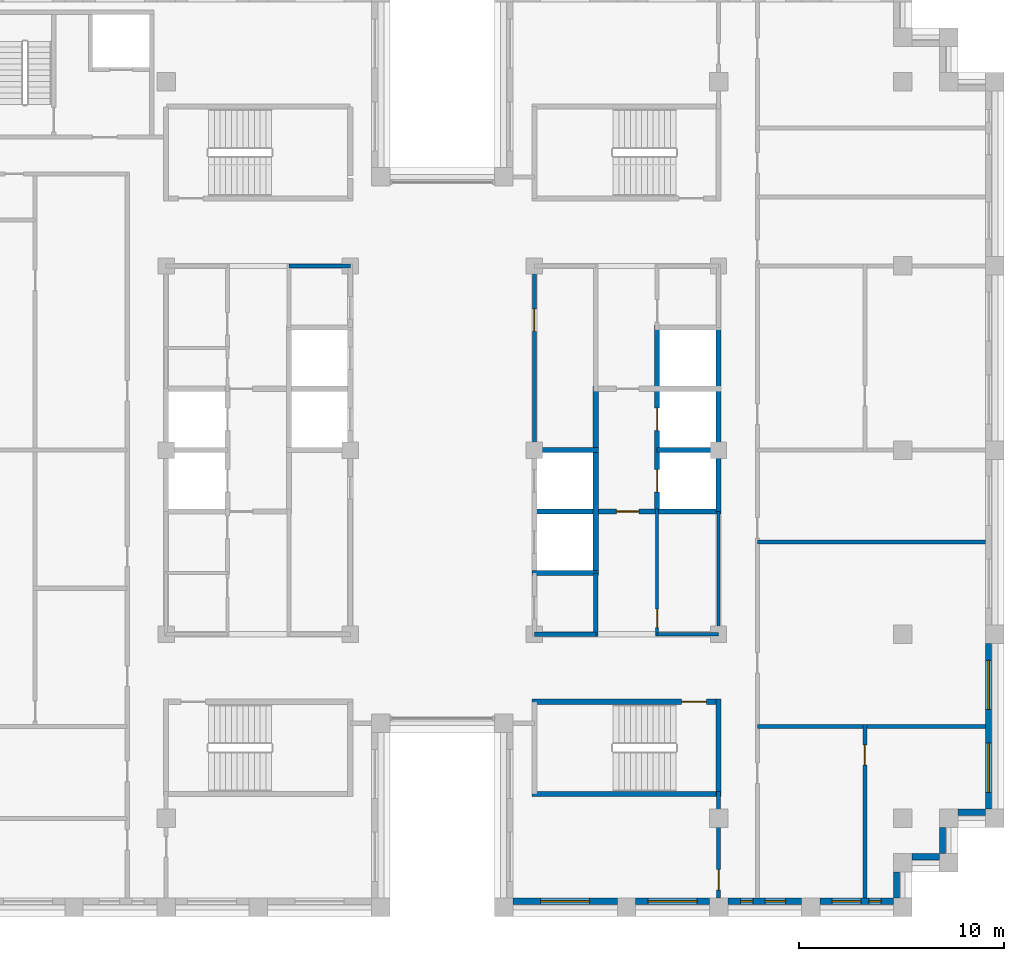
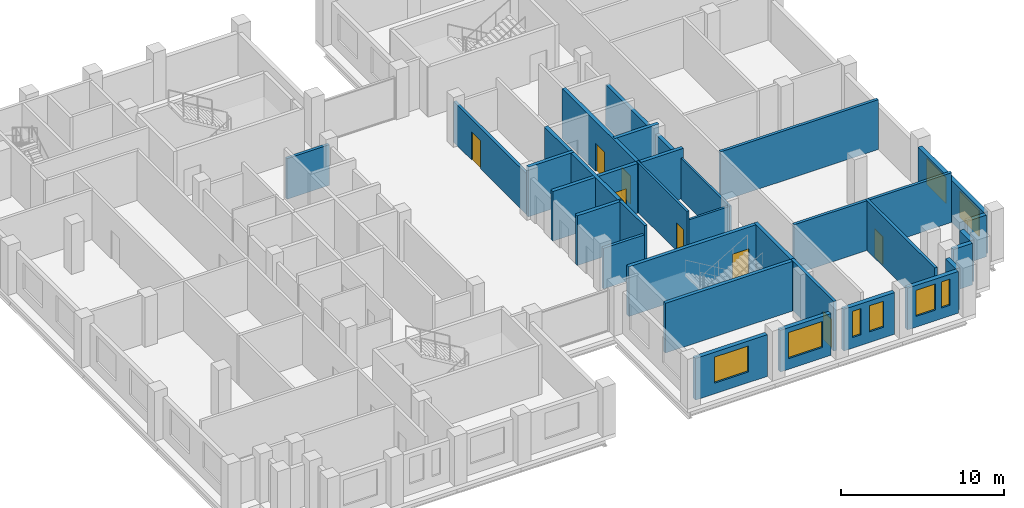
# One storey, part 8 of 13: 30 walls, 8 doors, 8 windows, 16 openings.
"""IFC4 building model written with IfcOpenShell, lengths in metres."""

from ifc_helpers import new_model, si_unit, direction, frame, frame_2d, origin, place, context, subcontext, project, spatial, rectangle, extrude, material, layer, layer_set, type_object, element, fill, save


model = new_model("IFC4")

# Units and contexts
model_context = context("Model", 3, precision=1e-05, world=origin(), true_north=direction((0.0, 1.0)))
body_context = subcontext(model_context, "Body", "Model", "MODEL_VIEW")
ifc_project = project(units=[si_unit("LENGTHUNIT", "METRE"), si_unit("AREAUNIT", "SQUARE_METRE"), si_unit("VOLUMEUNIT", "CUBIC_METRE"), si_unit("PLANEANGLEUNIT", "RADIAN"), si_unit("MASSUNIT", "GRAM", prefix="KILO")], contexts=[model_context])

# Site, building, storey
site_placement = place(None, origin())
site = spatial("IfcSite", under=ifc_project, at=site_placement, CompositionType="ELEMENT")
building_placement = place(site_placement, origin())
building = spatial("IfcBuilding", under=site, at=building_placement, Name="Corbelhall Arena Tower", CompositionType="ELEMENT")
storey_placement = place(building_placement, frame((0.0, 0.0, 254.0)))
storey = spatial("IfcBuildingStorey", under=building, at=storey_placement, Name="L54", CompositionType="ELEMENT", Elevation=254.0)

# Wall, opening, window
ifc_material_1 = material(Name="Precast concrete C40/50 with granite facing", Category="masonry")
ifc_layer_1 = layer(ifc_material_1, 0.300048828125)
ifc_layer_set_1 = layer_set([ifc_layer_1], Name="EV-IW1 Infill panel 300")
wall_type_1 = type_object("IfcWallType", Name="EV-IW1 Infill panel 300", PredefinedType="SOLIDWALL", material=ifc_layer_set_1)
wall_1_placement = place(storey_placement, frame((3.449951171875, -22.050048828125, 0.0), z_axis=(0.0, 0.0, 1.0), x_axis=(1.0, 0.0, 0.0)))
wall_1 = element("IfcWall", 1, at=wall_1_placement, inside=storey, type_object=wall_type_1, Name="Infill panel IW1", PredefinedType="SOLIDWALL", context=body_context, shape_type="SweptSolid", body=[
    extrude(rectangle(XDim=5.10009765625, YDim=0.300048828125, at=frame_2d((2.550048828125, 0.0))), origin(), (0.0, 0.0, 1.0), 3.1201171875),
])
opening_1_placement = place(wall_1_placement, frame((1.35009765625, 0.0, 0.800048828125)))
opening_1 = element("IfcOpeningElement", 2, at=opening_1_placement, cuts=wall_1, Name="Opening WN1", PredefinedType="OPENING", context=body_context, shape_type="SweptSolid", body=[
    extrude(rectangle(XDim=2.39990234375, YDim=1.949951171875, at=frame_2d((1.199951171875, 0.97509765625))), frame((0.0, 0.14990234375, 0.0), z_axis=(0.0, -1.0, 0.0), x_axis=(1.0, 0.0, 0.0)), (0.0, 0.0, 1.0), 0.300048828125),
])
ifc_material_2 = material(Name="Aluminium black anodised", Category="aluminium")
window_type_1 = type_object("IfcWindowType", Name="EV-WN1 Office window", PartitioningType="SINGLE_PANEL", PredefinedType="WINDOW", material=ifc_material_2)
window_1_placement = place(opening_1_placement, origin())
window_1 = element("IfcWindow", 3, at=window_1_placement, inside=storey, type_object=window_type_1, Name="Window WN1", OverallHeight=1.949951171875, OverallWidth=2.39990234375, PartitioningType="SINGLE_PANEL", PredefinedType="WINDOW", context=body_context, shape_type="SweptSolid", body=[
    extrude(rectangle(XDim=2.39990234375, YDim=1.949951171875, at=frame_2d((1.199951171875, 0.97509765625))), frame((0.0, 0.030029296875, 0.0), z_axis=(0.0, -1.0, 0.0), x_axis=(1.0, 0.0, 0.0)), (0.0, 0.0, 1.0), 0.06005859375),
])
fill(opening_1, window_1)

wall_2_placement = place(storey_placement, frame((9.449951171875, -22.050048828125, 0.0), z_axis=(0.0, 0.0, 1.0), x_axis=(1.0, 0.0, 0.0)))
wall_2 = element("IfcWall", 4, at=wall_2_placement, inside=storey, type_object=wall_type_1, Name="Infill panel IW1", PredefinedType="SOLIDWALL", context=body_context, shape_type="SweptSolid", body=[
    extrude(rectangle(XDim=3.60009765625, YDim=0.300048828125, at=frame_2d((1.800048828125, 0.0))), origin(), (0.0, 0.0, 1.0), 3.1201171875),
])
opening_2_placement = place(wall_2_placement, frame((0.60009765625, 0.0, 0.800048828125)))
opening_2 = element("IfcOpeningElement", 5, at=opening_2_placement, cuts=wall_2, Name="Opening WN1", PredefinedType="OPENING", context=body_context, shape_type="SweptSolid", body=[
    extrude(rectangle(XDim=2.39990234375, YDim=1.949951171875, at=frame_2d((1.199951171875, 0.97509765625))), frame((0.0, 0.14990234375, 0.0), z_axis=(0.0, -1.0, 0.0), x_axis=(1.0, 0.0, 0.0)), (0.0, 0.0, 1.0), 0.300048828125),
])
window_2_placement = place(opening_2_placement, origin())
window_2 = element("IfcWindow", 6, at=window_2_placement, inside=storey, type_object=window_type_1, Name="Window WN1", OverallHeight=1.949951171875, OverallWidth=2.39990234375, PartitioningType="SINGLE_PANEL", PredefinedType="WINDOW", context=body_context, shape_type="SweptSolid", body=[
    extrude(rectangle(XDim=2.39990234375, YDim=1.949951171875, at=frame_2d((1.199951171875, 0.97509765625))), frame((0.0, 0.030029296875, 0.0), z_axis=(0.0, -1.0, 0.0), x_axis=(1.0, 0.0, 0.0)), (0.0, 0.0, 1.0), 0.06005859375),
])
fill(opening_2, window_2)

# Wall, openings, windows
wall_3_placement = place(storey_placement, frame((13.949951171875, -22.050048828125, 0.0), z_axis=(0.0, 0.0, 1.0), x_axis=(1.0, 0.0, 0.0)))
wall_3 = element("IfcWall", 7, at=wall_3_placement, inside=storey, type_object=wall_type_1, Name="Infill panel IW1", PredefinedType="SOLIDWALL", context=body_context, shape_type="SweptSolid", body=[
    extrude(rectangle(XDim=3.60009765625, YDim=0.300048828125, at=frame_2d((1.800048828125, 0.0))), origin(), (0.0, 0.0, 1.0), 3.1201171875),
])
opening_3_placement = place(wall_3_placement, frame((0.625, 0.0, 0.800048828125)))
opening_3 = element("IfcOpeningElement", 8, at=opening_3_placement, cuts=wall_3, Name="Opening WN5", PredefinedType="OPENING", context=body_context, shape_type="SweptSolid", body=[
    extrude(rectangle(XDim=0.60009765625, YDim=1.949951171875, at=frame_2d((0.300048828125, 0.97509765625))), frame((0.0, 0.14990234375, 0.0), z_axis=(0.0, -1.0, 0.0), x_axis=(1.0, 0.0, 0.0)), (0.0, 0.0, 1.0), 0.300048828125),
])
opening_4_placement = place(wall_3_placement, frame((1.824951171875, 0.0, 0.800048828125)))
opening_4 = element("IfcOpeningElement", 9, at=opening_4_placement, cuts=wall_3, Name="Opening WN6", PredefinedType="OPENING", context=body_context, shape_type="SweptSolid", body=[
    extrude(rectangle(XDim=1.0, YDim=1.949951171875, at=frame_2d((0.5, 0.97509765625))), frame((0.0, 0.14990234375, 0.0), z_axis=(0.0, -1.0, 0.0), x_axis=(1.0, 0.0, 0.0)), (0.0, 0.0, 1.0), 0.300048828125),
])
window_type_2 = type_object("IfcWindowType", Name="EV-WN5 Office window 600", PartitioningType="SINGLE_PANEL", PredefinedType="WINDOW", material=ifc_material_2)
window_3_placement = place(opening_3_placement, origin())
window_3 = element("IfcWindow", 10, at=window_3_placement, inside=storey, type_object=window_type_2, Name="Window WN5", OverallHeight=1.949951171875, OverallWidth=0.60009765625, PartitioningType="SINGLE_PANEL", PredefinedType="WINDOW", context=body_context, shape_type="SweptSolid", body=[
    extrude(rectangle(XDim=0.60009765625, YDim=1.949951171875, at=frame_2d((0.300048828125, 0.97509765625))), frame((0.0, 0.030029296875, 0.0), z_axis=(0.0, -1.0, 0.0), x_axis=(1.0, 0.0, 0.0)), (0.0, 0.0, 1.0), 0.06005859375),
])
fill(opening_3, window_3)
window_type_3 = type_object("IfcWindowType", Name="EV-WN6 Office window 1000", PartitioningType="SINGLE_PANEL", PredefinedType="WINDOW", material=ifc_material_2)
window_4_placement = place(opening_4_placement, origin())
window_4 = element("IfcWindow", 11, at=window_4_placement, inside=storey, type_object=window_type_3, Name="Window WN6", OverallHeight=1.949951171875, OverallWidth=1.0, PartitioningType="SINGLE_PANEL", PredefinedType="WINDOW", context=body_context, shape_type="SweptSolid", body=[
    extrude(rectangle(XDim=1.0, YDim=1.949951171875, at=frame_2d((0.5, 0.97509765625))), frame((0.0, 0.030029296875, 0.0), z_axis=(0.0, -1.0, 0.0), x_axis=(1.0, 0.0, 0.0)), (0.0, 0.0, 1.0), 0.06005859375),
])
fill(opening_4, window_4)

wall_4_placement = place(storey_placement, frame((18.449951171875, -22.050048828125, 0.0), z_axis=(0.0, 0.0, 1.0), x_axis=(1.0, 0.0, 0.0)))
wall_4 = element("IfcWall", 12, at=wall_4_placement, inside=storey, type_object=wall_type_1, Name="Infill panel IW1", PredefinedType="SOLIDWALL", context=body_context, shape_type="SweptSolid", body=[
    extrude(rectangle(XDim=3.60009765625, YDim=0.300048828125, at=frame_2d((1.800048828125, 0.0))), origin(), (0.0, 0.0, 1.0), 3.1201171875),
])
opening_5_placement = place(wall_4_placement, frame((0.60009765625, 0.0, 0.800048828125)))
opening_5 = element("IfcOpeningElement", 13, at=opening_5_placement, cuts=wall_4, Name="Opening WN7", PredefinedType="OPENING", context=body_context, shape_type="SweptSolid", body=[
    extrude(rectangle(XDim=1.39990234375, YDim=1.949951171875, at=frame_2d((0.699951171875, 0.97509765625))), frame((0.0, 0.14990234375, 0.0), z_axis=(0.0, -1.0, 0.0), x_axis=(1.0, 0.0, 0.0)), (0.0, 0.0, 1.0), 0.300048828125),
])
opening_6_placement = place(wall_4_placement, frame((2.39990234375, 0.0, 0.800048828125)))
opening_6 = element("IfcOpeningElement", 14, at=opening_6_placement, cuts=wall_4, Name="Opening WN5", PredefinedType="OPENING", context=body_context, shape_type="SweptSolid", body=[
    extrude(rectangle(XDim=0.60009765625, YDim=1.949951171875, at=frame_2d((0.300048828125, 0.97509765625))), frame((0.0, 0.14990234375, 0.0), z_axis=(0.0, -1.0, 0.0), x_axis=(1.0, 0.0, 0.0)), (0.0, 0.0, 1.0), 0.300048828125),
])
window_5_placement = place(opening_6_placement, origin())
window_5 = element("IfcWindow", 15, at=window_5_placement, inside=storey, type_object=window_type_2, Name="Window WN5", OverallHeight=1.949951171875, OverallWidth=0.60009765625, PartitioningType="SINGLE_PANEL", PredefinedType="WINDOW", context=body_context, shape_type="SweptSolid", body=[
    extrude(rectangle(XDim=0.60009765625, YDim=1.949951171875, at=frame_2d((0.300048828125, 0.97509765625))), frame((0.0, 0.030029296875, 0.0), z_axis=(0.0, -1.0, 0.0), x_axis=(1.0, 0.0, 0.0)), (0.0, 0.0, 1.0), 0.06005859375),
])
fill(opening_6, window_5)
window_type_4 = type_object("IfcWindowType", Name="EV-WN7 Office window 1400", PartitioningType="SINGLE_PANEL", PredefinedType="WINDOW", material=ifc_material_2)
window_6_placement = place(opening_5_placement, origin())
window_6 = element("IfcWindow", 16, at=window_6_placement, inside=storey, type_object=window_type_4, Name="Window WN7", OverallHeight=1.949951171875, OverallWidth=1.39990234375, PartitioningType="SINGLE_PANEL", PredefinedType="WINDOW", context=body_context, shape_type="SweptSolid", body=[
    extrude(rectangle(XDim=1.39990234375, YDim=1.949951171875, at=frame_2d((0.699951171875, 0.97509765625))), frame((0.0, 0.030029296875, 0.0), z_axis=(0.0, -1.0, 0.0), x_axis=(1.0, 0.0, 0.0)), (0.0, 0.0, 1.0), 0.06005859375),
])
fill(opening_5, window_6)

# Walls
wall_5_placement = place(storey_placement, frame((22.199951171875, -21.89990234375, 0.0), z_axis=(0.0, 0.0, 1.0), x_axis=(0.0, 1.0, 0.0)))
element("IfcWall", 17, at=wall_5_placement, inside=storey, type_object=wall_type_1, Name="Infill panel IW1", PredefinedType="SOLIDWALL", context=body_context, shape_type="SweptSolid", body=[
    extrude(rectangle(XDim=1.27490234375, YDim=0.300048828125, at=frame_2d((0.637451171875, 0.0))), origin(), (0.0, 0.0, 1.0), 3.1201171875),
])
wall_6_placement = place(storey_placement, frame((22.949951171875, -19.875, 0.0), z_axis=(0.0, 0.0, 1.0), x_axis=(1.0, 0.0, 0.0)))
element("IfcWall", 18, at=wall_6_placement, inside=storey, type_object=wall_type_1, Name="Infill panel IW1", PredefinedType="SOLIDWALL", context=body_context, shape_type="SweptSolid", body=[
    extrude(rectangle(XDim=1.35009765625, YDim=0.300048828125, at=frame_2d((0.675048828125, 0.0))), origin(), (0.0, 0.0, 1.0), 3.1201171875),
])
wall_7_placement = place(storey_placement, frame((24.449951171875, -19.72509765625, 0.0), z_axis=(0.0, 0.0, 1.0), x_axis=(0.0, 1.0, 0.0)))
element("IfcWall", 19, at=wall_7_placement, inside=storey, type_object=wall_type_1, Name="Infill panel IW1", PredefinedType="SOLIDWALL", context=body_context, shape_type="SweptSolid", body=[
    extrude(rectangle(XDim=1.275146484375, YDim=0.300048828125, at=frame_2d((0.6376953125, 0.0))), origin(), (0.0, 0.0, 1.0), 3.1201171875),
])
wall_8_placement = place(storey_placement, frame((25.199951171875, -17.699951171875, 0.0), z_axis=(0.0, 0.0, 1.0), x_axis=(1.0, 0.0, 0.0)))
element("IfcWall", 20, at=wall_8_placement, inside=storey, type_object=wall_type_1, Name="Infill panel IW1", PredefinedType="SOLIDWALL", context=body_context, shape_type="SweptSolid", body=[
    extrude(rectangle(XDim=1.35009765625, YDim=0.300048828125, at=frame_2d((0.675048828125, 0.0))), origin(), (0.0, 0.0, 1.0), 3.1201171875),
])

# Wall, openings, windows
wall_9_placement = place(storey_placement, frame((26.699951171875, -17.550048828125, 0.0), z_axis=(0.0, 0.0, 1.0), x_axis=(0.0, 1.0, 0.0)))
wall_9 = element("IfcWall", 21, at=wall_9_placement, inside=storey, type_object=wall_type_1, Name="Infill panel IW1", PredefinedType="SOLIDWALL", context=body_context, shape_type="SweptSolid", body=[
    extrude(rectangle(XDim=8.10009765625, YDim=0.300048828125, at=frame_2d((4.050048828125, 0.0))), origin(), (0.0, 0.0, 1.0), 3.1201171875),
])
opening_7_placement = place(wall_9_placement, frame((0.824951171875, 0.0, 0.800048828125)))
opening_7 = element("IfcOpeningElement", 22, at=opening_7_placement, cuts=wall_9, Name="Opening WN1", PredefinedType="OPENING", context=body_context, shape_type="SweptSolid", body=[
    extrude(rectangle(XDim=2.39990234375, YDim=1.949951171875, at=frame_2d((1.199951171875, 0.97509765625))), frame((0.0, 0.14990234375, 0.0), z_axis=(0.0, -1.0, 0.0), x_axis=(1.0, 0.0, 0.0)), (0.0, 0.0, 1.0), 0.300048828125),
])
opening_8_placement = place(wall_9_placement, frame((4.875, 0.0, 0.800048828125)))
opening_8 = element("IfcOpeningElement", 23, at=opening_8_placement, cuts=wall_9, Name="Opening WN1", PredefinedType="OPENING", context=body_context, shape_type="SweptSolid", body=[
    extrude(rectangle(XDim=2.39990234375, YDim=1.949951171875, at=frame_2d((1.199951171875, 0.97509765625))), frame((0.0, 0.14990234375, 0.0), z_axis=(0.0, -1.0, 0.0), x_axis=(1.0, 0.0, 0.0)), (0.0, 0.0, 1.0), 0.300048828125),
])
window_7_placement = place(opening_7_placement, origin())
window_7 = element("IfcWindow", 24, at=window_7_placement, inside=storey, type_object=window_type_1, Name="Window WN1", OverallHeight=1.949951171875, OverallWidth=2.39990234375, PartitioningType="SINGLE_PANEL", PredefinedType="WINDOW", context=body_context, shape_type="SweptSolid", body=[
    extrude(rectangle(XDim=2.39990234375, YDim=1.949951171875, at=frame_2d((1.199951171875, 0.97509765625))), frame((0.0, 0.030029296875, 0.0), z_axis=(0.0, -1.0, 0.0), x_axis=(1.0, 0.0, 0.0)), (0.0, 0.0, 1.0), 0.06005859375),
])
fill(opening_7, window_7)
window_8_placement = place(opening_8_placement, origin())
window_8 = element("IfcWindow", 25, at=window_8_placement, inside=storey, type_object=window_type_1, Name="Window WN1", OverallHeight=1.949951171875, OverallWidth=2.39990234375, PartitioningType="SINGLE_PANEL", PredefinedType="WINDOW", context=body_context, shape_type="SweptSolid", body=[
    extrude(rectangle(XDim=2.39990234375, YDim=1.949951171875, at=frame_2d((1.199951171875, 0.97509765625))), frame((0.0, 0.030029296875, 0.0), z_axis=(0.0, -1.0, 0.0), x_axis=(1.0, 0.0, 0.0)), (0.0, 0.0, 1.0), 0.06005859375),
])
fill(opening_8, window_8)

# Wall, opening, door
ifc_material_3 = material(Name="Gypsum board on steel stud, acoustic", Category="steel")
ifc_layer_2 = layer(ifc_material_3, 0.199951171875)
ifc_layer_set_2 = layer_set([ifc_layer_2], Name="IN-W-DM200")
wall_type_2 = type_object("IfcWallType", Name="IN-W-DM200", PredefinedType="PARTITIONING", material=ifc_layer_set_2)
wall_10_placement = place(storey_placement, frame((13.5, -21.89990234375, 0.0), z_axis=(0.0, 0.0, 1.0), x_axis=(0.0, 1.0, 0.0)))
wall_10 = element("IfcWall", 26, at=wall_10_placement, inside=storey, type_object=wall_type_2, Name="Partition 014", PredefinedType="PARTITIONING", context=body_context, shape_type="SweptSolid", body=[
    extrude(rectangle(XDim=5.224853515625, YDim=0.199951171875, at=frame_2d((2.6123046875, 0.0))), origin(), (0.0, 0.0, 1.0), 3.719970703125),
])
opening_9_placement = place(wall_10_placement, frame((0.39990234375, 0.0, 0.0)))
opening_9 = element("IfcOpeningElement", 27, at=opening_9_placement, cuts=wall_10, Name="Opening 17021", PredefinedType="OPENING", context=body_context, shape_type="SweptSolid", body=[
    extrude(rectangle(XDim=1.0, YDim=2.10009765625, at=frame_2d((0.5, 1.050048828125))), frame((0.0, 0.10009765625, 0.0), z_axis=(0.0, -1.0, 0.0), x_axis=(1.0, 0.0, 0.0)), (0.0, 0.0, 1.0), 0.199951171875),
])
ifc_material_4 = material(Name="Steel door set", Category="steel")
door_type_1 = type_object("IfcDoorType", Name="IN-D-SW100", OperationType="NOTDEFINED", PredefinedType="DOOR", material=ifc_material_4)
door_1_placement = place(opening_9_placement, origin())
door_1 = element("IfcDoor", 28, at=door_1_placement, inside=storey, type_object=door_type_1, Name="Door 021", OperationType="SINGLE_SWING_RIGHT", OverallHeight=2.10009765625, OverallWidth=1.0, PredefinedType="DOOR", context=body_context, shape_type="SweptSolid", body=[
    extrude(rectangle(XDim=1.0, YDim=2.10009765625, at=frame_2d((0.5, 1.050048828125))), frame((0.0, 0.02490234375, 0.0), z_axis=(0.0, -1.0, 0.0), x_axis=(1.0, 0.0, 0.0)), (0.0, 0.0, 1.0), 0.050048828125),
])
fill(opening_9, door_1)

# Walls
for number, where, z_axis, x_axis, name in (
    (29, (15.39990234375, -13.5, 0.0), (0.0, 0.0, 1.0), (1.0, 0.0, 0.0), "Partition 016"),
    (30, (15.39990234375, -4.5, 0.0), (0.0, 0.0, 1.0), (1.0, 0.0, 0.0), "Partition 018"),
):
    element("IfcWall", number, at=place(storey_placement, frame(where, z_axis=z_axis, x_axis=x_axis)), inside=storey, type_object=wall_type_2, Name=name, PredefinedType="PARTITIONING", context=body_context, shape_type="SweptSolid", body=[
        extrude(rectangle(XDim=11.150146484375, YDim=0.199951171875, at=frame_2d((5.5751953125, 0.0))), origin(), (0.0, 0.0, 1.0), 3.719970703125),
    ])

# Wall, opening, door
wall_11_placement = place(storey_placement, frame((20.64990234375, -13.39990234375, 0.0), z_axis=(0.0, 0.0, 1.0), x_axis=(0.0, -1.0, 0.0)))
wall_11 = element("IfcWall", 31, at=wall_11_placement, inside=storey, type_object=wall_type_2, Name="Partition 022", PredefinedType="PARTITIONING", context=body_context, shape_type="SweptSolid", body=[
    extrude(rectangle(XDim=8.5, YDim=0.199951171875, at=frame_2d((4.25, 0.0))), origin(), (0.0, 0.0, 1.0), 3.719970703125),
])
opening_10_placement = place(wall_11_placement, frame((1.0, 0.0, 0.0)))
opening_10 = element("IfcOpeningElement", 32, at=opening_10_placement, cuts=wall_11, Name="Opening 17035", PredefinedType="OPENING", context=body_context, shape_type="SweptSolid", body=[
    extrude(rectangle(XDim=1.0, YDim=2.10009765625, at=frame_2d((0.5, 1.050048828125))), frame((0.0, 0.10009765625, 0.0), z_axis=(0.0, -1.0, 0.0), x_axis=(1.0, 0.0, 0.0)), (0.0, 0.0, 1.0), 0.199951171875),
])
door_2_placement = place(opening_10_placement, origin())
door_2 = element("IfcDoor", 33, at=door_2_placement, inside=storey, type_object=door_type_1, Name="Door 035", OperationType="SINGLE_SWING_RIGHT", OverallHeight=2.10009765625, OverallWidth=1.0, PredefinedType="DOOR", context=body_context, shape_type="SweptSolid", body=[
    extrude(rectangle(XDim=1.0, YDim=2.10009765625, at=frame_2d((0.5, 1.050048828125))), frame((0.0, 0.02490234375, 0.0), z_axis=(0.0, -1.0, 0.0), x_axis=(1.0, 0.0, 0.0)), (0.0, 0.0, 1.0), 0.050048828125),
])
fill(opening_10, door_2)

# Walls
ifc_material_5 = material(Name="Concrete block wall", Category="concrete")
ifc_layer_3 = layer(ifc_material_5, 0.199951171875)
ifc_layer_set_3 = layer_set([ifc_layer_3], Name="IN-W-RS200")
wall_type_3 = type_object("IfcWallType", Name="IN-W-RS200", PredefinedType="SOLIDWALL", material=ifc_layer_set_3)
wall_12_placement = place(storey_placement, frame((7.5, -6.0, 0.0), z_axis=(0.0, 0.0, 1.0), x_axis=(0.0, -1.0, 0.0)))
element("IfcWall", 34, at=wall_12_placement, inside=storey, type_object=wall_type_3, Name="Partition 040", PredefinedType="SOLIDWALL", context=body_context, shape_type="SweptSolid", body=[
    extrude(rectangle(XDim=3.10009765625, YDim=0.199951171875, at=frame_2d((1.550048828125, 0.0))), origin(), (0.0, 0.0, 1.0), 3.719970703125),
])
ifc_layer_4 = layer(ifc_material_5, 0.199951171875)
ifc_layer_set_4 = layer_set([ifc_layer_4], Name="IN-W-RS200 under beam 678 mm")
wall_type_4 = type_object("IfcWallType", Name="IN-W-RS200 under beam 678 mm", PredefinedType="SOLIDWALL", material=ifc_layer_set_4)
wall_13_placement = place(storey_placement, frame((-7.5, 9.0, 0.0), z_axis=(0.0, 0.0, 1.0), x_axis=(1.0, 0.0, 0.0)))
element("IfcWall", 35, at=wall_13_placement, inside=storey, type_object=wall_type_4, Name="Partition 032", PredefinedType="SOLIDWALL", context=body_context, shape_type="SweptSolid", body=[
    extrude(rectangle(XDim=3.0, YDim=0.199951171875, at=frame_2d((1.5, 0.0))), origin(), (0.0, 0.0, 1.0), 3.041748046875),
])

# Wall, opening, door
wall_14_placement = place(storey_placement, frame((4.5, 0.0, 0.0), z_axis=(0.0, 0.0, 1.0), x_axis=(0.0, 1.0, 0.0)))
wall_14 = element("IfcWall", 36, at=wall_14_placement, inside=storey, type_object=wall_type_4, Name="Partition 037", PredefinedType="SOLIDWALL", context=body_context, shape_type="SweptSolid", body=[
    extrude(rectangle(XDim=9.10009765625, YDim=0.199951171875, at=frame_2d((4.550048828125, 0.0))), origin(), (0.0, 0.0, 1.0), 3.041748046875),
])
opening_11_placement = place(wall_14_placement, frame((5.800048828125, 0.0, 0.0)))
opening_11 = element("IfcOpeningElement", 37, at=opening_11_placement, cuts=wall_14, Name="Opening 17010", PredefinedType="OPENING", context=body_context, shape_type="SweptSolid", body=[
    extrude(rectangle(XDim=1.10009765625, YDim=2.10009765625, at=frame_2d((0.550048828125, 1.050048828125))), frame((0.0, 0.10009765625, 0.0), z_axis=(0.0, -1.0, 0.0), x_axis=(1.0, 0.0, 0.0)), (0.0, 0.0, 1.0), 0.199951171875),
])
door_type_2 = type_object("IfcDoorType", Name="IN-D-FD110", OperationType="NOTDEFINED", PredefinedType="DOOR", material=ifc_material_4)
door_3_placement = place(opening_11_placement, origin())
door_3 = element("IfcDoor", 38, at=door_3_placement, inside=storey, type_object=door_type_2, Name="Door 010", OperationType="SINGLE_SWING_LEFT", OverallHeight=2.10009765625, OverallWidth=1.10009765625, PredefinedType="DOOR", context=body_context, shape_type="SweptSolid", body=[
    extrude(rectangle(XDim=1.10009765625, YDim=2.10009765625, at=frame_2d((0.550048828125, 1.050048828125))), frame((0.0, 0.02490234375, 0.0), z_axis=(0.0, -1.0, 0.0), x_axis=(1.0, 0.0, 0.0)), (0.0, 0.0, 1.0), 0.050048828125),
])
fill(opening_11, door_3)

# Walls
wall_15_placement = place(storey_placement, frame((7.5, -9.0, 0.0), z_axis=(0.0, 0.0, 1.0), x_axis=(-1.0, 0.0, 0.0)))
element("IfcWall", 39, at=wall_15_placement, inside=storey, type_object=wall_type_4, Name="Partition 039", PredefinedType="SOLIDWALL", context=body_context, shape_type="SweptSolid", body=[
    extrude(rectangle(XDim=3.0, YDim=0.199951171875, at=frame_2d((1.5, 0.0))), origin(), (0.0, 0.0, 1.0), 3.041748046875),
])
ifc_material_6 = material(Name="Concrete C40/50", Category="concrete")
ifc_layer_5 = layer(ifc_material_6, 0.25)
ifc_layer_set_5 = layer_set([ifc_layer_5], Name="IN-W-SH250")
wall_type_5 = type_object("IfcWallType", Name="IN-W-SH250", PredefinedType="SOLIDWALL", material=ifc_layer_set_5)
wall_16_placement = place(storey_placement, frame((4.375, -6.0, 0.0), z_axis=(0.0, 0.0, 1.0), x_axis=(1.0, 0.0, 0.0)))
element("IfcWall", 40, at=wall_16_placement, inside=storey, type_object=wall_type_5, Name="Shaft wall 054", PredefinedType="SOLIDWALL", context=body_context, shape_type="SweptSolid", body=[
    extrude(rectangle(XDim=3.25, YDim=0.25, at=frame_2d((1.625, 0.0))), origin(), (0.0, 0.0, 1.0), 3.719970703125),
])

# Wall, opening, door
wall_17_placement = place(storey_placement, frame((4.375, -3.0, 0.0), z_axis=(0.0, 0.0, 1.0), x_axis=(1.0, 0.0, 0.0)))
wall_17 = element("IfcWall", 41, at=wall_17_placement, inside=storey, type_object=wall_type_5, Name="Shaft wall 055", PredefinedType="SOLIDWALL", context=body_context, shape_type="SweptSolid", body=[
    extrude(rectangle(XDim=9.25, YDim=0.25, at=frame_2d((4.625, 0.0))), origin(), (0.0, 0.0, 1.0), 3.719970703125),
])
opening_12_placement = place(wall_17_placement, frame((4.125, 0.0, 0.0)))
opening_12 = element("IfcOpeningElement", 42, at=opening_12_placement, cuts=wall_17, Name="Opening 17011", PredefinedType="OPENING", context=body_context, shape_type="SweptSolid", body=[
    extrude(rectangle(XDim=1.10009765625, YDim=2.10009765625, at=frame_2d((0.550048828125, 1.050048828125))), frame((0.0, 0.125, 0.0), z_axis=(0.0, -1.0, 0.0), x_axis=(1.0, 0.0, 0.0)), (0.0, 0.0, 1.0), 0.25),
])
door_4_placement = place(opening_12_placement, origin())
door_4 = element("IfcDoor", 43, at=door_4_placement, inside=storey, type_object=door_type_2, Name="Door 011", OperationType="SINGLE_SWING_RIGHT", OverallHeight=2.10009765625, OverallWidth=1.10009765625, PredefinedType="DOOR", context=body_context, shape_type="SweptSolid", body=[
    extrude(rectangle(XDim=1.10009765625, YDim=2.10009765625, at=frame_2d((0.550048828125, 1.050048828125))), frame((0.0, 0.02490234375, 0.0), z_axis=(0.0, -1.0, 0.0), x_axis=(1.0, 0.0, 0.0)), (0.0, 0.0, 1.0), 0.050048828125),
])
fill(opening_12, door_4)

# Walls
wall_18_placement = place(storey_placement, frame((4.375, 0.0, 0.0), z_axis=(0.0, 0.0, 1.0), x_axis=(1.0, 0.0, 0.0)))
element("IfcWall", 44, at=wall_18_placement, inside=storey, type_object=wall_type_5, Name="Shaft wall 056", PredefinedType="SOLIDWALL", context=body_context, shape_type="SweptSolid", body=[
    extrude(rectangle(XDim=3.25, YDim=0.25, at=frame_2d((1.625, 0.0))), origin(), (0.0, 0.0, 1.0), 3.719970703125),
])
wall_19_placement = place(storey_placement, frame((7.5, 3.125, 0.0), z_axis=(0.0, 0.0, 1.0), x_axis=(0.0, -1.0, 0.0)))
element("IfcWall", 45, at=wall_19_placement, inside=storey, type_object=wall_type_5, Name="Shaft wall 058", PredefinedType="SOLIDWALL", context=body_context, shape_type="SweptSolid", body=[
    extrude(rectangle(XDim=9.125, YDim=0.25, at=frame_2d((4.5625, 0.0))), origin(), (0.0, 0.0, 1.0), 3.719970703125),
])
wall_20_placement = place(storey_placement, frame((10.5, 0.0, 0.0), z_axis=(0.0, 0.0, 1.0), x_axis=(1.0, 0.0, 0.0)))
element("IfcWall", 46, at=wall_20_placement, inside=storey, type_object=wall_type_5, Name="Shaft wall 060", PredefinedType="SOLIDWALL", context=body_context, shape_type="SweptSolid", body=[
    extrude(rectangle(XDim=3.125, YDim=0.25, at=frame_2d((1.5625, 0.0))), origin(), (0.0, 0.0, 1.0), 3.719970703125),
])

# Wall, openings, doors
wall_21_placement = place(storey_placement, frame((10.5, 6.125, 0.0), z_axis=(0.0, 0.0, 1.0), x_axis=(0.0, -1.0, 0.0)))
wall_21 = element("IfcWall", 47, at=wall_21_placement, inside=storey, type_object=wall_type_5, Name="Shaft wall 061", PredefinedType="SOLIDWALL", context=body_context, shape_type="SweptSolid", body=[
    extrude(rectangle(XDim=9.25, YDim=0.25, at=frame_2d((4.625, 0.0))), origin(), (0.0, 0.0, 1.0), 3.719970703125),
])
opening_13_placement = place(wall_21_placement, frame((7.074951171875, 0.0, 0.0)))
opening_13 = element("IfcOpeningElement", 48, at=opening_13_placement, cuts=wall_21, Name="Opening LD", PredefinedType="OPENING", context=body_context, shape_type="SweptSolid", body=[
    extrude(rectangle(XDim=1.10009765625, YDim=2.10009765625, at=frame_2d((0.550048828125, 1.050048828125))), frame((0.0, 0.125, 0.0), z_axis=(0.0, -1.0, 0.0), x_axis=(1.0, 0.0, 0.0)), (0.0, 0.0, 1.0), 0.25),
])
opening_14_placement = place(wall_21_placement, frame((4.074951171875, 0.0, 0.0)))
opening_14 = element("IfcOpeningElement", 49, at=opening_14_placement, cuts=wall_21, Name="Opening LD", PredefinedType="OPENING", context=body_context, shape_type="SweptSolid", body=[
    extrude(rectangle(XDim=1.10009765625, YDim=2.10009765625, at=frame_2d((0.550048828125, 1.050048828125))), frame((0.0, 0.125, 0.0), z_axis=(0.0, -1.0, 0.0), x_axis=(1.0, 0.0, 0.0)), (0.0, 0.0, 1.0), 0.25),
])
door_type_3 = type_object("IfcDoorType", Name="IN-D-LD110", OperationType="NOTDEFINED", PredefinedType="DOOR", material=ifc_material_4)
door_5_placement = place(opening_13_placement, origin())
door_5 = element("IfcDoor", 50, at=door_5_placement, inside=storey, type_object=door_type_3, Name="Landing door E3", OperationType="SLIDING_TO_LEFT", OverallHeight=2.10009765625, OverallWidth=1.10009765625, PredefinedType="DOOR", context=body_context, shape_type="SweptSolid", body=[
    extrude(rectangle(XDim=1.10009765625, YDim=2.10009765625, at=frame_2d((0.550048828125, 1.050048828125))), frame((0.0, 0.02490234375, 0.0), z_axis=(0.0, -1.0, 0.0), x_axis=(1.0, 0.0, 0.0)), (0.0, 0.0, 1.0), 0.050048828125),
])
fill(opening_13, door_5)
door_6_placement = place(opening_14_placement, origin())
door_6 = element("IfcDoor", 51, at=door_6_placement, inside=storey, type_object=door_type_3, Name="Landing door E4", OperationType="SLIDING_TO_LEFT", OverallHeight=2.10009765625, OverallWidth=1.10009765625, PredefinedType="DOOR", context=body_context, shape_type="SweptSolid", body=[
    extrude(rectangle(XDim=1.10009765625, YDim=2.10009765625, at=frame_2d((0.550048828125, 1.050048828125))), frame((0.0, 0.02490234375, 0.0), z_axis=(0.0, -1.0, 0.0), x_axis=(1.0, 0.0, 0.0)), (0.0, 0.0, 1.0), 0.050048828125),
])
fill(opening_14, door_6)

# Walls
ifc_layer_6 = layer(ifc_material_6, 0.25)
ifc_layer_set_6 = layer_set([ifc_layer_6], Name="IN-W-SH250 under beam 678 mm")
wall_type_6 = type_object("IfcWallType", Name="IN-W-SH250 under beam 678 mm", PredefinedType="SOLIDWALL", material=ifc_layer_set_6)
wall_22_placement = place(storey_placement, frame((13.5, 6.0, 0.0), z_axis=(0.0, 0.0, 1.0), x_axis=(0.0, -1.0, 0.0)))
element("IfcWall", 52, at=wall_22_placement, inside=storey, type_object=wall_type_6, Name="Shaft wall 063", PredefinedType="SOLIDWALL", context=body_context, shape_type="SweptSolid", body=[
    extrude(rectangle(XDim=9.0, YDim=0.25, at=frame_2d((4.5, 0.0))), origin(), (0.0, 0.0, 1.0), 3.041748046875),
])
ifc_layer_7 = layer(ifc_material_6, 0.25)
ifc_layer_set_7 = layer_set([ifc_layer_7], Name="IN-W-ST250")
wall_type_7 = type_object("IfcWallType", Name="IN-W-ST250", PredefinedType="SOLIDWALL", material=ifc_layer_set_7)
wall_23_placement = place(storey_placement, frame((13.5, -16.925048828125, 0.0), z_axis=(0.0, 0.0, 1.0), x_axis=(0.0, 1.0, 0.0)))
element("IfcWall", 53, at=wall_23_placement, inside=storey, type_object=wall_type_7, Name="Shaft wall 077", PredefinedType="SOLIDWALL", context=body_context, shape_type="SweptSolid", body=[
    extrude(rectangle(XDim=4.75, YDim=0.25, at=frame_2d((2.375, 0.0))), origin(), (0.0, 0.0, 1.0), 3.719970703125),
])
wall_24_placement = place(storey_placement, frame((13.5, -16.800048828125, 0.0), z_axis=(0.0, 0.0, 1.0), x_axis=(-1.0, 0.0, 0.0)))
element("IfcWall", 54, at=wall_24_placement, inside=storey, type_object=wall_type_7, Name="Shaft wall 078", PredefinedType="SOLIDWALL", context=body_context, shape_type="SweptSolid", body=[
    extrude(rectangle(XDim=9.125, YDim=0.25, at=frame_2d((4.5625, 0.0))), origin(), (0.0, 0.0, 1.0), 3.719970703125),
])

# Wall, opening, door
wall_25_placement = place(storey_placement, frame((13.5, -12.300048828125, 0.0), z_axis=(0.0, 0.0, 1.0), x_axis=(-1.0, 0.0, 0.0)))
wall_25 = element("IfcWall", 55, at=wall_25_placement, inside=storey, type_object=wall_type_7, Name="Shaft wall 079", PredefinedType="SOLIDWALL", context=body_context, shape_type="SweptSolid", body=[
    extrude(rectangle(XDim=9.125, YDim=0.25, at=frame_2d((4.5625, 0.0))), origin(), (0.0, 0.0, 1.0), 3.719970703125),
])
opening_15_placement = place(wall_25_placement, frame((0.60009765625, 0.0, 0.0)))
opening_15 = element("IfcOpeningElement", 56, at=opening_15_placement, cuts=wall_25, Name="Opening 17018", PredefinedType="OPENING", context=body_context, shape_type="SweptSolid", body=[
    extrude(rectangle(XDim=1.199951171875, YDim=2.10009765625, at=frame_2d((0.60009765625, 1.050048828125))), frame((0.0, 0.125, 0.0), z_axis=(0.0, -1.0, 0.0), x_axis=(1.0, 0.0, 0.0)), (0.0, 0.0, 1.0), 0.25),
])
door_type_4 = type_object("IfcDoorType", Name="IN-D-ST120", OperationType="NOTDEFINED", PredefinedType="DOOR", material=ifc_material_4)
door_7_placement = place(opening_15_placement, origin())
door_7 = element("IfcDoor", 57, at=door_7_placement, inside=storey, type_object=door_type_4, Name="Door 018", OperationType="SINGLE_SWING_LEFT", OverallHeight=2.10009765625, OverallWidth=1.199951171875, PredefinedType="DOOR", context=body_context, shape_type="SweptSolid", body=[
    extrude(rectangle(XDim=1.199951171875, YDim=2.10009765625, at=frame_2d((0.60009765625, 1.050048828125))), frame((0.0, 0.02490234375, 0.0), z_axis=(0.0, -1.0, 0.0), x_axis=(1.0, 0.0, 0.0)), (0.0, 0.0, 1.0), 0.050048828125),
])
fill(opening_15, door_7)

ifc_material_7 = material(Name="Gypsum board on steel stud, moisture resistant", Category="steel")
ifc_layer_8 = layer(ifc_material_7, 0.14990234375)
ifc_layer_set_8 = layer_set([ifc_layer_8], Name="IN-W-WC150")
wall_type_8 = type_object("IfcWallType", Name="IN-W-WC150", PredefinedType="PARTITIONING", material=ifc_layer_set_8)
wall_26_placement = place(storey_placement, frame((10.5, -2.875, 0.0), z_axis=(0.0, 0.0, 1.0), x_axis=(0.0, -1.0, 0.0)))
wall_26 = element("IfcWall", 58, at=wall_26_placement, inside=storey, type_object=wall_type_8, Name="Partition 088", PredefinedType="PARTITIONING", context=body_context, shape_type="SweptSolid", body=[
    extrude(rectangle(XDim=6.199951171875, YDim=0.14990234375, at=frame_2d((3.10009765625, 0.0))), origin(), (0.0, 0.0, 1.0), 3.719970703125),
])
opening_16_placement = place(wall_26_placement, frame((4.89990234375, 0.0, 0.0)))
opening_16 = element("IfcOpeningElement", 59, at=opening_16_placement, cuts=wall_26, Name="Opening 17013", PredefinedType="OPENING", context=body_context, shape_type="SweptSolid", body=[
    extrude(rectangle(XDim=0.89990234375, YDim=2.10009765625, at=frame_2d((0.449951171875, 1.050048828125))), frame((0.0, 0.074951171875, 0.0), z_axis=(0.0, -1.0, 0.0), x_axis=(1.0, 0.0, 0.0)), (0.0, 0.0, 1.0), 0.14990234375),
])
ifc_material_8 = material(Name="Timber door set", Category="wood")
door_type_5 = type_object("IfcDoorType", Name="IN-D-SW90", OperationType="NOTDEFINED", PredefinedType="DOOR", material=ifc_material_8)
door_8_placement = place(opening_16_placement, origin())
door_8 = element("IfcDoor", 60, at=door_8_placement, inside=storey, type_object=door_type_5, Name="Door 013", OperationType="SINGLE_SWING_RIGHT", OverallHeight=2.10009765625, OverallWidth=0.89990234375, PredefinedType="DOOR", context=body_context, shape_type="SweptSolid", body=[
    extrude(rectangle(XDim=0.89990234375, YDim=2.10009765625, at=frame_2d((0.449951171875, 1.050048828125))), frame((0.0, 0.02490234375, 0.0), z_axis=(0.0, -1.0, 0.0), x_axis=(1.0, 0.0, 0.0)), (0.0, 0.0, 1.0), 0.050048828125),
])
fill(opening_16, door_8)

# Walls
ifc_layer_9 = layer(ifc_material_7, 0.14990234375)
ifc_layer_set_9 = layer_set([ifc_layer_9], Name="IN-W-WC150 under beam 678 mm")
wall_type_9 = type_object("IfcWallType", Name="IN-W-WC150 under beam 678 mm", PredefinedType="PARTITIONING", material=ifc_layer_set_9)
wall_27_placement = place(storey_placement, frame((13.5, -9.0, 0.0), z_axis=(0.0, 0.0, 1.0), x_axis=(-1.0, 0.0, 0.0)))
element("IfcWall", 61, at=wall_27_placement, inside=storey, type_object=wall_type_9, Name="Partition 089", PredefinedType="PARTITIONING", context=body_context, shape_type="SweptSolid", body=[
    extrude(rectangle(XDim=3.0, YDim=0.14990234375, at=frame_2d((1.5, 0.0))), origin(), (0.0, 0.0, 1.0), 3.041748046875),
])
wall_28_placement = place(storey_placement, frame((13.5, -3.0, 0.0), z_axis=(0.0, 0.0, 1.0), x_axis=(0.0, -1.0, 0.0)))
element("IfcWall", 62, at=wall_28_placement, inside=storey, type_object=wall_type_9, Name="Partition 090", PredefinedType="PARTITIONING", context=body_context, shape_type="SweptSolid", body=[
    extrude(rectangle(XDim=6.074951171875, YDim=0.14990234375, at=frame_2d((3.03759765625, 0.0))), origin(), (0.0, 0.0, 1.0), 3.041748046875),
])

save(model, "model.ifc")
